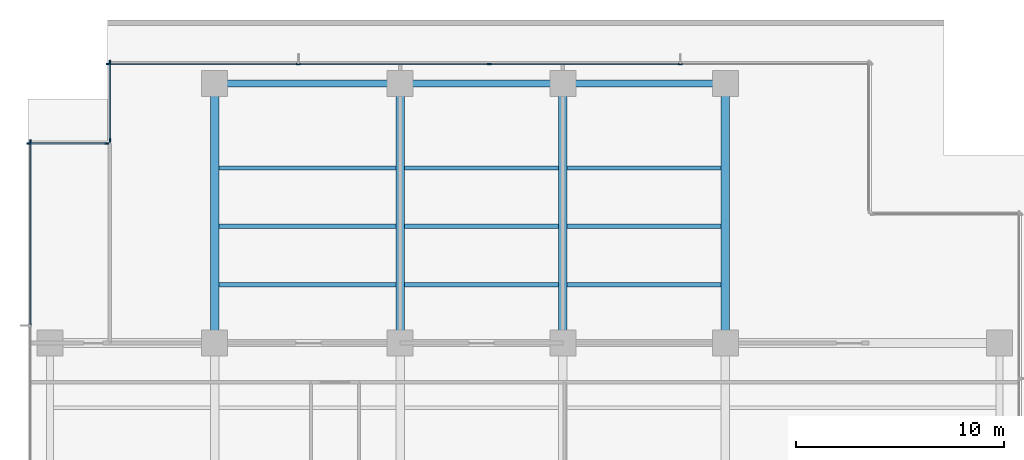
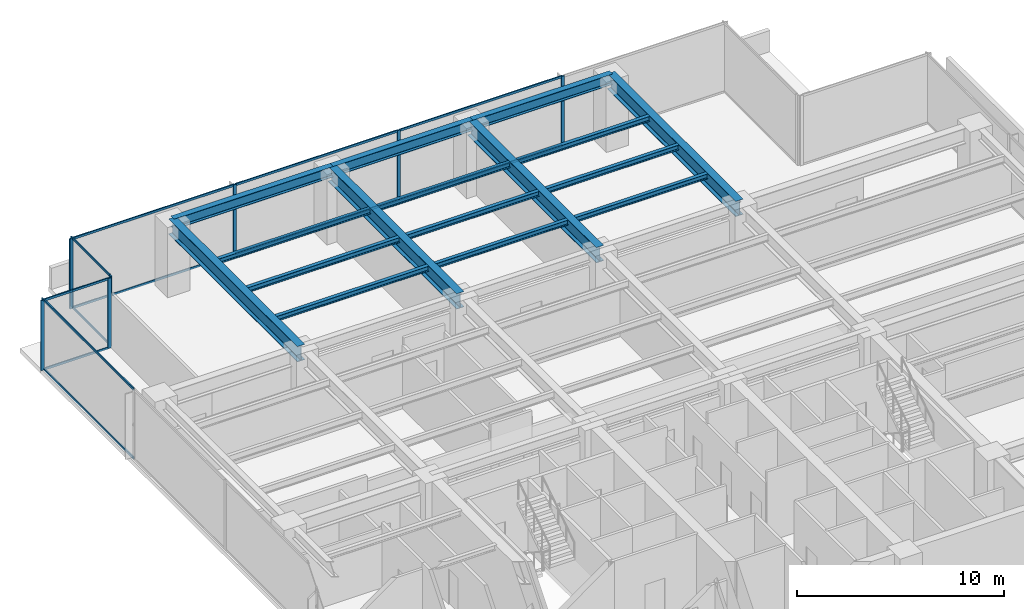
# One storey, part 5 of 16: 21 members, 16 beams, 4 elements without a shape of their own.
"""IFC4 building model written with IfcOpenShell, lengths in metres."""

from ifc_helpers import new_model, si_unit, direction, frame, origin, origin_2d, place, context, subcontext, project, spatial, rectangle, i_section, extrude, material, layer, layer_set, material_profile, profile_set, type_object, element, aggregate, save


model = new_model("IFC4")

# Units and contexts
model_context = context("Model", 3, precision=1e-05, world=origin(), true_north=direction((0.0, 1.0)))
body_context = subcontext(model_context, "Body", "Model", "MODEL_VIEW")
ifc_project = project(units=[si_unit("LENGTHUNIT", "METRE"), si_unit("AREAUNIT", "SQUARE_METRE"), si_unit("VOLUMEUNIT", "CUBIC_METRE"), si_unit("PLANEANGLEUNIT", "RADIAN"), si_unit("MASSUNIT", "GRAM", prefix="KILO")], contexts=[model_context])

# Site, building, storey
site_placement = place(None, origin())
site = spatial("IfcSite", under=ifc_project, at=site_placement, CompositionType="ELEMENT")
building_placement = place(site_placement, origin())
building = spatial("IfcBuilding", under=site, at=building_placement, Name="Qalmaran Belvedere Hotel", CompositionType="ELEMENT")
storey_placement = place(building_placement, frame((0.0, 0.0, 83.800048828125)))
storey = spatial("IfcBuildingStorey", under=building, at=storey_placement, Name="L20", CompositionType="ELEMENT", Elevation=83.800048828125)

# Beams
ifc_material_1 = material(Name="Steel S355JR", Category="steel")
ifc_material_profile_1 = material_profile(ifc_material_1, i_section(OverallWidth=0.202880859375, OverallDepth=0.302978515625, WebThickness=0.007568359375, FlangeThickness=0.01318359375, FilletRadius=0.012939453125, at=origin_2d()), Name="W310X60")
ifc_profile_set_1 = profile_set([ifc_material_profile_1], Name="Steel S355JR")
beam_type_1 = type_object("IfcBeamType", Name="BM-JST-W310X60", PredefinedType="JOIST", material=ifc_profile_set_1)
beam_1_placement = place(storey_placement, frame((20.507080078125, 35.800048828125, 3.988525390625), z_axis=(1.0, 0.0, 0.0), x_axis=(0.0, 1.0, 0.0)))
element("IfcBeam", 1, at=beam_1_placement, inside=storey, type_object=beam_type_1, Name="L20 North Floor Joist 047", PredefinedType="JOIST", context=body_context, shape_type="SweptSolid", body=[
    extrude(i_section(OverallWidth=0.202880859375, OverallDepth=0.302978515625, WebThickness=0.007568359375, FlangeThickness=0.01318359375, FilletRadius=0.012939453125, at=origin_2d()), origin(), (0.0, 0.0, 1.0), 8.48583984375),
])
for number, where, z_axis, x_axis, name in (
    (2, (29.406982421875, 35.800048828125, 3.988525390625), (1.0, 0.0, 0.0), (0.0, 1.0, 0.0), "L20 North Floor Joist 048"),
    (3, (37.20703125, 35.800048828125, 3.988525390625), (1.0, 0.0, 0.0), (0.0, 1.0, 0.0), "L20 North Floor Joist 049"),
):
    element("IfcBeam", number, at=place(storey_placement, frame(where, z_axis=z_axis, x_axis=x_axis)), inside=storey, type_object=beam_type_1, Name=name, PredefinedType="JOIST", context=body_context, shape_type="SweptSolid", body=[
        extrude(i_section(OverallWidth=0.202880859375, OverallDepth=0.302978515625, WebThickness=0.007568359375, FlangeThickness=0.01318359375, FilletRadius=0.012939453125, at=origin_2d()), origin(), (0.0, 0.0, 1.0), 7.385986328125),
    ])
beam_2_placement = place(storey_placement, frame((20.507080078125, 38.60009765625, 3.988525390625), z_axis=(1.0, 0.0, 0.0), x_axis=(0.0, 1.0, 0.0)))
element("IfcBeam", 4, at=beam_2_placement, inside=storey, type_object=beam_type_1, Name="L20 North Floor Joist 050", PredefinedType="JOIST", context=body_context, shape_type="SweptSolid", body=[
    extrude(i_section(OverallWidth=0.202880859375, OverallDepth=0.302978515625, WebThickness=0.007568359375, FlangeThickness=0.01318359375, FilletRadius=0.012939453125, at=origin_2d()), origin(), (0.0, 0.0, 1.0), 8.48583984375),
])
for number, where, z_axis, x_axis, name in (
    (5, (29.406982421875, 38.60009765625, 3.988525390625), (1.0, 0.0, 0.0), (0.0, 1.0, 0.0), "L20 North Floor Joist 051"),
    (6, (37.20703125, 38.60009765625, 3.988525390625), (1.0, 0.0, 0.0), (0.0, 1.0, 0.0), "L20 North Floor Joist 052"),
):
    element("IfcBeam", number, at=place(storey_placement, frame(where, z_axis=z_axis, x_axis=x_axis)), inside=storey, type_object=beam_type_1, Name=name, PredefinedType="JOIST", context=body_context, shape_type="SweptSolid", body=[
        extrude(i_section(OverallWidth=0.202880859375, OverallDepth=0.302978515625, WebThickness=0.007568359375, FlangeThickness=0.01318359375, FilletRadius=0.012939453125, at=origin_2d()), origin(), (0.0, 0.0, 1.0), 7.385986328125),
    ])
beam_3_placement = place(storey_placement, frame((20.507080078125, 41.39990234375, 3.988525390625), z_axis=(1.0, 0.0, 0.0), x_axis=(0.0, 1.0, 0.0)))
element("IfcBeam", 7, at=beam_3_placement, inside=storey, type_object=beam_type_1, Name="L20 North Floor Joist 053", PredefinedType="JOIST", context=body_context, shape_type="SweptSolid", body=[
    extrude(i_section(OverallWidth=0.202880859375, OverallDepth=0.302978515625, WebThickness=0.007568359375, FlangeThickness=0.01318359375, FilletRadius=0.012939453125, at=origin_2d()), origin(), (0.0, 0.0, 1.0), 8.48583984375),
])
for number, where, z_axis, x_axis, name in (
    (8, (29.406982421875, 41.39990234375, 3.988525390625), (1.0, 0.0, 0.0), (0.0, 1.0, 0.0), "L20 North Floor Joist 054"),
    (9, (37.20703125, 41.39990234375, 3.988525390625), (1.0, 0.0, 0.0), (0.0, 1.0, 0.0), "L20 North Floor Joist 055"),
):
    element("IfcBeam", number, at=place(storey_placement, frame(where, z_axis=z_axis, x_axis=x_axis)), inside=storey, type_object=beam_type_1, Name=name, PredefinedType="JOIST", context=body_context, shape_type="SweptSolid", body=[
        extrude(i_section(OverallWidth=0.202880859375, OverallDepth=0.302978515625, WebThickness=0.007568359375, FlangeThickness=0.01318359375, FilletRadius=0.012939453125, at=origin_2d()), origin(), (0.0, 0.0, 1.0), 7.385986328125),
    ])
ifc_material_profile_2 = material_profile(ifc_material_1, i_section(OverallWidth=0.41796875, OverallDepth=0.912109375, WebThickness=0.019287109375, FlangeThickness=0.031982421875, FilletRadius=0.02392578125, at=origin_2d()), Name="W920X342")
ifc_profile_set_2 = profile_set([ifc_material_profile_2], Name="Steel S355JR")
beam_type_2 = type_object("IfcBeamType", Name="BM-PG2-W920X342", PredefinedType="USERDEFINED", material=ifc_profile_set_2)
for number, where, z_axis, x_axis, name in (
    (10, (20.300048828125, 33.0, 3.683837890625), (0.0, 1.0, 0.0), (-1.0, 0.0, 0.0), "L20 North Bay Girder 15"),
    (11, (29.199951171875, 33.0, 3.683837890625), (0.0, 1.0, 0.0), (-1.0, 0.0, 0.0), "L20 North Bay Girder 17"),
    (12, (37.0, 33.0, 3.683837890625), (0.0, 1.0, 0.0), (-1.0, 0.0, 0.0), "L20 North Bay Girder 19"),
    (13, (44.800048828125, 33.0, 3.683837890625), (0.0, 1.0, 0.0), (-1.0, 0.0, 0.0), "L20 North Bay Girder 21"),
):
    element("IfcBeam", number, at=place(storey_placement, frame(where, z_axis=z_axis, x_axis=x_axis)), inside=storey, type_object=beam_type_2, Name=name, ObjectType="GIRDER", PredefinedType="USERDEFINED", context=body_context, shape_type="SweptSolid", body=[
        extrude(i_section(OverallWidth=0.41796875, OverallDepth=0.912109375, WebThickness=0.019287109375, FlangeThickness=0.031982421875, FilletRadius=0.02392578125, at=origin_2d()), origin(), (0.0, 0.0, 1.0), 12.449951171875),
    ])
ifc_material_profile_3 = material_profile(ifc_material_1, i_section(OverallWidth=0.326904296875, OverallDepth=0.6220703125, WebThickness=0.015380859375, FlangeThickness=0.0244140625, FilletRadius=0.02001953125, at=origin_2d()), Name="W610X195")
ifc_profile_set_3 = profile_set([ifc_material_profile_3], Name="Steel S355JR")
beam_type_3 = type_object("IfcBeamType", Name="BM-SP1-W610X195", PredefinedType="SPANDREL", material=ifc_profile_set_3)
beam_4_placement = place(storey_placement, frame((20.300048828125, 45.449951171875, 3.828857421875), z_axis=(1.0, 0.0, 0.0), x_axis=(0.0, 1.0, 0.0)))
element("IfcBeam", 14, at=beam_4_placement, inside=storey, type_object=beam_type_3, Name="L20 Perimeter Spandrel 05", PredefinedType="SPANDREL", context=body_context, shape_type="SweptSolid", body=[
    extrude(i_section(OverallWidth=0.326904296875, OverallDepth=0.6220703125, WebThickness=0.015380859375, FlangeThickness=0.0244140625, FilletRadius=0.02001953125, at=origin_2d()), origin(), (0.0, 0.0, 1.0), 8.89990234375),
])
for number, where, z_axis, x_axis, name in (
    (15, (29.199951171875, 45.449951171875, 3.828857421875), (1.0, 0.0, 0.0), (0.0, 1.0, 0.0), "L20 Perimeter Spandrel 06"),
    (16, (37.0, 45.449951171875, 3.828857421875), (1.0, 0.0, 0.0), (0.0, 1.0, 0.0), "L20 Perimeter Spandrel 07"),
):
    element("IfcBeam", number, at=place(storey_placement, frame(where, z_axis=z_axis, x_axis=x_axis)), inside=storey, type_object=beam_type_3, Name=name, PredefinedType="SPANDREL", context=body_context, shape_type="SweptSolid", body=[
        extrude(i_section(OverallWidth=0.326904296875, OverallDepth=0.6220703125, WebThickness=0.015380859375, FlangeThickness=0.0244140625, FilletRadius=0.02001953125, at=origin_2d()), origin(), (0.0, 0.0, 1.0), 7.800048828125),
    ])

# Curtain wall, members
ifc_material_2 = material(Name="Anodised Bronze Aluminium", Category="aluminium")
ifc_layer = layer(ifc_material_2, 0.199951171875, Name="Anodised Bronze Aluminium")
ifc_layer_set = layer_set([ifc_layer], Name="Anodised Bronze Aluminium")
curtain_wall_type = type_object("IfcCurtainWallType", Name="CW3-TOWER-LOWMID", PredefinedType="NOTDEFINED", material=ifc_layer_set)
curtain_wall_1_placement = place(storey_placement, origin())
curtain_wall_1 = element("IfcCurtainWall", 17, at=curtain_wall_1_placement, inside=storey, type_object=curtain_wall_type, Name="L20 Curtain Wall CW3", PredefinedType="NOTDEFINED")
ifc_material_profile_4 = material_profile(ifc_material_2, rectangle(XDim=0.070068359375, YDim=0.18994140625, at=origin_2d()), Name="CWM70X190")
ifc_profile_set_4 = profile_set([ifc_material_profile_4], Name="Anodised Bronze Aluminium")
member_type_1 = type_object("IfcMemberType", Name="CWM-70X190", PredefinedType="MULLION", material=ifc_profile_set_4)
member_1_placement = place(storey_placement, frame((42.637451171875, 46.3798828125, 0.0), z_axis=(0.0, 0.0, 1.0), x_axis=(0.0, -1.0, 0.0)))
member_1 = element("IfcMember", 18, at=member_1_placement, type_object=member_type_1, Name="CW3 mullion 2", PredefinedType="MULLION", context=body_context, shape_type="SweptSolid", body=[
    extrude(rectangle(XDim=0.070068359375, YDim=0.18994140625, at=origin_2d()), origin(), (0.0, 0.0, 1.0), 4.139892578125),
])
member_2_placement = place(storey_placement, frame((33.47509765625, 46.3798828125, 0.0), z_axis=(0.0, 0.0, 1.0), x_axis=(0.0, -1.0, 0.0)))
member_2 = element("IfcMember", 19, at=member_2_placement, type_object=member_type_1, Name="CW3 mullion 3", PredefinedType="MULLION", context=body_context, shape_type="SweptSolid", body=[
    extrude(rectangle(XDim=0.070068359375, YDim=0.18994140625, at=origin_2d()), origin(), (0.0, 0.0, 1.0), 4.139892578125),
])
member_3_placement = place(storey_placement, frame((24.3125, 46.3798828125, 0.0), z_axis=(0.0, 0.0, 1.0), x_axis=(0.0, -1.0, 0.0)))
member_3 = element("IfcMember", 20, at=member_3_placement, type_object=member_type_1, Name="CW3 mullion 4", PredefinedType="MULLION", context=body_context, shape_type="SweptSolid", body=[
    extrude(rectangle(XDim=0.070068359375, YDim=0.18994140625, at=origin_2d()), origin(), (0.0, 0.0, 1.0), 4.139892578125),
])
member_4_placement = place(storey_placement, frame((15.18505859375, 46.3798828125, 0.0), z_axis=(0.0, 0.0, 1.0), x_axis=(0.0, -1.0, 0.0)))
member_4 = element("IfcMember", 21, at=member_4_placement, type_object=member_type_1, Name="CW3 mullion 5", PredefinedType="MULLION", context=body_context, shape_type="SweptSolid", body=[
    extrude(rectangle(XDim=0.070068359375, YDim=0.18994140625, at=origin_2d()), origin(), (0.0, 0.0, 1.0), 4.139892578125),
])

curtain_wall_2_placement = place(storey_placement, origin())
curtain_wall_2 = element("IfcCurtainWall", 22, at=curtain_wall_2_placement, inside=storey, type_object=curtain_wall_type, Name="L20 Curtain Wall CW3", PredefinedType="NOTDEFINED")
member_5_placement = place(storey_placement, frame((15.27001953125, 46.465087890625, 0.0), z_axis=(0.0, 0.0, 1.0), x_axis=(1.0, 0.0, 0.0)))
member_5 = element("IfcMember", 23, at=member_5_placement, type_object=member_type_1, Name="CW3 mullion 1", PredefinedType="MULLION", context=body_context, shape_type="SweptSolid", body=[
    extrude(rectangle(XDim=0.070068359375, YDim=0.18994140625, at=origin_2d()), origin(), (0.0, 0.0, 1.0), 4.139892578125),
])
member_6_placement = place(storey_placement, frame((15.27001953125, 42.735107421875, 0.0), z_axis=(0.0, 0.0, 1.0), x_axis=(1.0, 0.0, 0.0)))
member_6 = element("IfcMember", 24, at=member_6_placement, type_object=member_type_1, Name="CW3 mullion 2", PredefinedType="MULLION", context=body_context, shape_type="SweptSolid", body=[
    extrude(rectangle(XDim=0.070068359375, YDim=0.18994140625, at=origin_2d()), origin(), (0.0, 0.0, 1.0), 4.139892578125),
])

curtain_wall_3_placement = place(storey_placement, origin())
curtain_wall_3 = element("IfcCurtainWall", 25, at=curtain_wall_3_placement, inside=storey, type_object=curtain_wall_type, Name="L20 Curtain Wall CW3", PredefinedType="NOTDEFINED")
member_7_placement = place(storey_placement, frame((15.114990234375, 42.580078125, 0.0), z_axis=(0.0, 0.0, 1.0), x_axis=(0.0, -1.0, 0.0)))
member_7 = element("IfcMember", 26, at=member_7_placement, type_object=member_type_1, Name="CW3 mullion 1", PredefinedType="MULLION", context=body_context, shape_type="SweptSolid", body=[
    extrude(rectangle(XDim=0.070068359375, YDim=0.18994140625, at=origin_2d()), origin(), (0.0, 0.0, 1.0), 4.139892578125),
])
member_8_placement = place(storey_placement, frame((11.385009765625, 42.580078125, 0.0), z_axis=(0.0, 0.0, 1.0), x_axis=(0.0, -1.0, 0.0)))
member_8 = element("IfcMember", 27, at=member_8_placement, type_object=member_type_1, Name="CW3 mullion 2", PredefinedType="MULLION", context=body_context, shape_type="SweptSolid", body=[
    extrude(rectangle(XDim=0.070068359375, YDim=0.18994140625, at=origin_2d()), origin(), (0.0, 0.0, 1.0), 4.139892578125),
])

# Curtain wall, member
curtain_wall_4_placement = place(storey_placement, origin())
curtain_wall_4 = element("IfcCurtainWall", 28, at=curtain_wall_4_placement, inside=storey, type_object=curtain_wall_type, Name="L20 Curtain Wall CW3", PredefinedType="NOTDEFINED")
member_9_placement = place(storey_placement, frame((11.469970703125, 42.6650390625, 0.0), z_axis=(0.0, 0.0, 1.0), x_axis=(1.0, 0.0, 0.0)))
member_9 = element("IfcMember", 29, at=member_9_placement, type_object=member_type_1, Name="CW3 mullion 1", PredefinedType="MULLION", context=body_context, shape_type="SweptSolid", body=[
    extrude(rectangle(XDim=0.070068359375, YDim=0.18994140625, at=origin_2d()), origin(), (0.0, 0.0, 1.0), 4.139892578125),
])

# Member
ifc_material_profile_5 = material_profile(ifc_material_2, rectangle(XDim=0.06494140625, YDim=0.1298828125, at=origin_2d()), Name="CWT65X130")
ifc_profile_set_5 = profile_set([ifc_material_profile_5], Name="Anodised Bronze Aluminium")
member_type_2 = type_object("IfcMemberType", Name="CWT-65X130", PredefinedType="USERDEFINED", material=ifc_profile_set_5)
member_10_placement = place(storey_placement, frame((42.6025390625, 46.3798828125, 0.032470703125), z_axis=(-1.0, 0.0, 0.0), x_axis=(0.0, -1.0, 0.0)))
member_10 = element("IfcMember", 30, at=member_10_placement, type_object=member_type_2, Name="CW3 transom 2.1", ObjectType="TRANSOM", PredefinedType="USERDEFINED", context=body_context, shape_type="SweptSolid", body=[
    extrude(rectangle(XDim=0.06494140625, YDim=0.1298828125, at=origin_2d()), origin(), (0.0, 0.0, 1.0), 9.092529296875),
])

member_11_placement = place(storey_placement, frame((42.6025390625, 46.3798828125, 4.107421875), z_axis=(-1.0, 0.0, 0.0), x_axis=(0.0, -1.0, 0.0)))
member_11 = element("IfcMember", 31, at=member_11_placement, type_object=member_type_2, Name="CW3 transom 2.2", ObjectType="TRANSOM", PredefinedType="USERDEFINED", context=body_context, shape_type="SweptSolid", body=[
    extrude(rectangle(XDim=0.06494140625, YDim=0.1298828125, at=origin_2d()), origin(), (0.0, 0.0, 1.0), 9.092529296875),
])

member_12_placement = place(storey_placement, frame((33.43994140625, 46.3798828125, 0.032470703125), z_axis=(-1.0, 0.0, 0.0), x_axis=(0.0, -1.0, 0.0)))
member_12 = element("IfcMember", 32, at=member_12_placement, type_object=member_type_2, Name="CW3 transom 3.1", ObjectType="TRANSOM", PredefinedType="USERDEFINED", context=body_context, shape_type="SweptSolid", body=[
    extrude(rectangle(XDim=0.06494140625, YDim=0.1298828125, at=origin_2d()), origin(), (0.0, 0.0, 1.0), 9.092529296875),
])

member_13_placement = place(storey_placement, frame((33.43994140625, 46.3798828125, 4.107421875), z_axis=(-1.0, 0.0, 0.0), x_axis=(0.0, -1.0, 0.0)))
member_13 = element("IfcMember", 33, at=member_13_placement, type_object=member_type_2, Name="CW3 transom 3.2", ObjectType="TRANSOM", PredefinedType="USERDEFINED", context=body_context, shape_type="SweptSolid", body=[
    extrude(rectangle(XDim=0.06494140625, YDim=0.1298828125, at=origin_2d()), origin(), (0.0, 0.0, 1.0), 9.092529296875),
])

member_14_placement = place(storey_placement, frame((24.277587890625, 46.3798828125, 0.032470703125), z_axis=(-1.0, 0.0, 0.0), x_axis=(0.0, -1.0, 0.0)))
member_14 = element("IfcMember", 34, at=member_14_placement, type_object=member_type_2, Name="CW3 transom 4.1", ObjectType="TRANSOM", PredefinedType="USERDEFINED", context=body_context, shape_type="SweptSolid", body=[
    extrude(rectangle(XDim=0.06494140625, YDim=0.1298828125, at=origin_2d()), origin(), (0.0, 0.0, 1.0), 9.0576171875),
])

member_15_placement = place(storey_placement, frame((24.277587890625, 46.3798828125, 4.107421875), z_axis=(-1.0, 0.0, 0.0), x_axis=(0.0, -1.0, 0.0)))
member_15 = element("IfcMember", 35, at=member_15_placement, type_object=member_type_2, Name="CW3 transom 4.2", ObjectType="TRANSOM", PredefinedType="USERDEFINED", context=body_context, shape_type="SweptSolid", body=[
    extrude(rectangle(XDim=0.06494140625, YDim=0.1298828125, at=origin_2d()), origin(), (0.0, 0.0, 1.0), 9.0576171875),
])

aggregate(curtain_wall_1, [member_1, member_2, member_3, member_4, member_10, member_11, member_12, member_13, member_14, member_15])

member_16_placement = place(storey_placement, frame((15.27001953125, 46.429931640625, 0.032470703125), z_axis=(0.0, -1.0, 0.0), x_axis=(1.0, 0.0, 0.0)))
member_16 = element("IfcMember", 36, at=member_16_placement, type_object=member_type_2, Name="CW3 transom 1.1", ObjectType="TRANSOM", PredefinedType="USERDEFINED", context=body_context, shape_type="SweptSolid", body=[
    extrude(rectangle(XDim=0.06494140625, YDim=0.1298828125, at=origin_2d()), origin(), (0.0, 0.0, 1.0), 3.659912109375),
])

member_17_placement = place(storey_placement, frame((15.27001953125, 46.429931640625, 4.107421875), z_axis=(0.0, -1.0, 0.0), x_axis=(1.0, 0.0, 0.0)))
member_17 = element("IfcMember", 37, at=member_17_placement, type_object=member_type_2, Name="CW3 transom 1.2", ObjectType="TRANSOM", PredefinedType="USERDEFINED", context=body_context, shape_type="SweptSolid", body=[
    extrude(rectangle(XDim=0.06494140625, YDim=0.1298828125, at=origin_2d()), origin(), (0.0, 0.0, 1.0), 3.659912109375),
])

aggregate(curtain_wall_2, [member_5, member_6, member_16, member_17])

member_18_placement = place(storey_placement, frame((15.080078125, 42.580078125, 0.032470703125), z_axis=(-1.0, 0.0, 0.0), x_axis=(0.0, -1.0, 0.0)))
member_18 = element("IfcMember", 38, at=member_18_placement, type_object=member_type_2, Name="CW3 transom 1.1", ObjectType="TRANSOM", PredefinedType="USERDEFINED", context=body_context, shape_type="SweptSolid", body=[
    extrude(rectangle(XDim=0.06494140625, YDim=0.1298828125, at=origin_2d()), origin(), (0.0, 0.0, 1.0), 3.66015625),
])

member_19_placement = place(storey_placement, frame((15.080078125, 42.580078125, 4.107421875), z_axis=(-1.0, 0.0, 0.0), x_axis=(0.0, -1.0, 0.0)))
member_19 = element("IfcMember", 39, at=member_19_placement, type_object=member_type_2, Name="CW3 transom 1.2", ObjectType="TRANSOM", PredefinedType="USERDEFINED", context=body_context, shape_type="SweptSolid", body=[
    extrude(rectangle(XDim=0.06494140625, YDim=0.1298828125, at=origin_2d()), origin(), (0.0, 0.0, 1.0), 3.66015625),
])

aggregate(curtain_wall_3, [member_7, member_8, member_18, member_19])

member_20_placement = place(storey_placement, frame((11.469970703125, 42.6298828125, 0.032470703125), z_axis=(0.0, -1.0, 0.0), x_axis=(1.0, 0.0, 0.0)))
member_20 = element("IfcMember", 40, at=member_20_placement, type_object=member_type_2, Name="CW3 transom 1.1", ObjectType="TRANSOM", PredefinedType="USERDEFINED", context=body_context, shape_type="SweptSolid", body=[
    extrude(rectangle(XDim=0.06494140625, YDim=0.1298828125, at=origin_2d()), origin(), (0.0, 0.0, 1.0), 8.744873046875),
])

member_21_placement = place(storey_placement, frame((11.469970703125, 42.6298828125, 4.107421875), z_axis=(0.0, -1.0, 0.0), x_axis=(1.0, 0.0, 0.0)))
member_21 = element("IfcMember", 41, at=member_21_placement, type_object=member_type_2, Name="CW3 transom 1.2", ObjectType="TRANSOM", PredefinedType="USERDEFINED", context=body_context, shape_type="SweptSolid", body=[
    extrude(rectangle(XDim=0.06494140625, YDim=0.1298828125, at=origin_2d()), origin(), (0.0, 0.0, 1.0), 8.744873046875),
])

aggregate(curtain_wall_4, [member_9, member_20, member_21])

save(model, "model.ifc")
